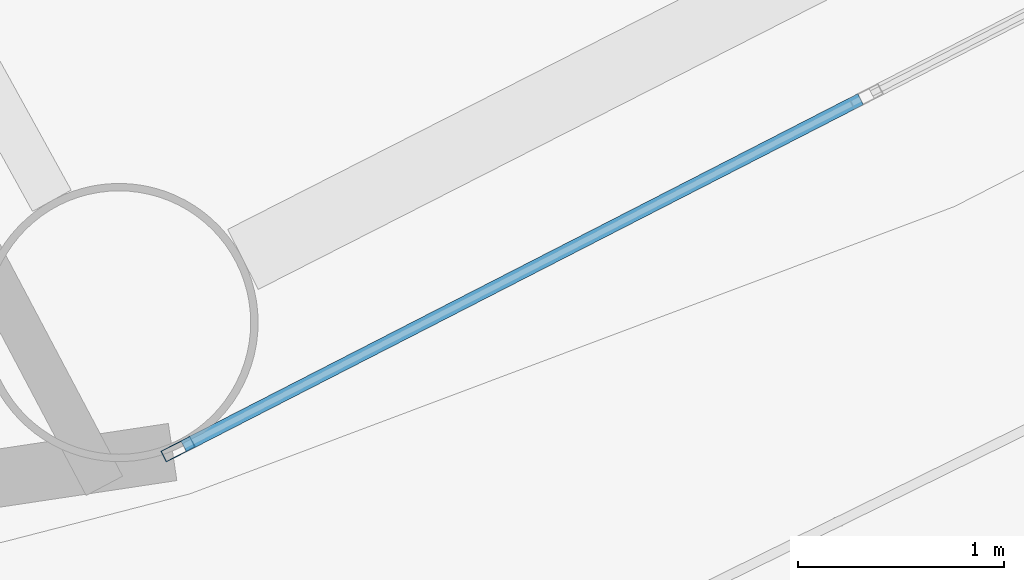
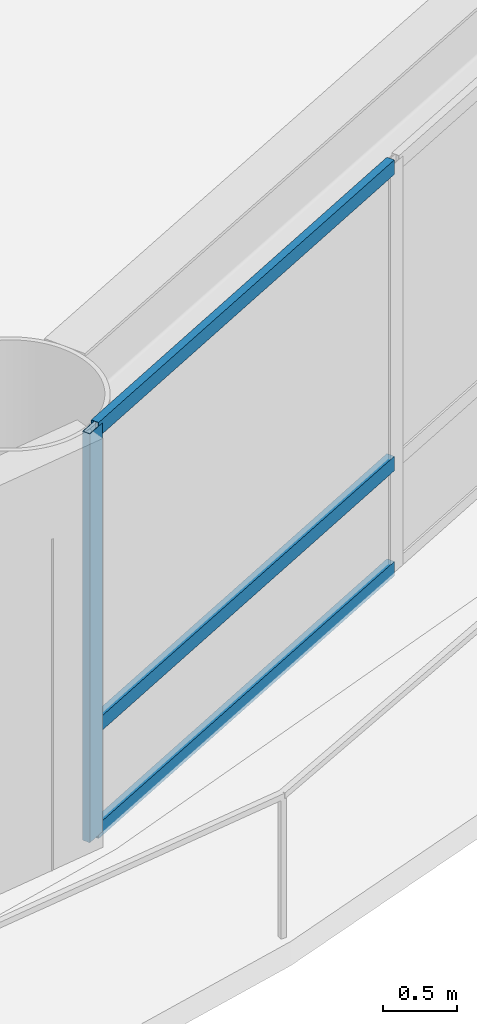
# One storey, part 6 of 26: 4 members, 1 element without a shape of its own.
"""IFC4 building model written with IfcOpenShell, lengths in metres."""

from ifc_helpers import new_model, si_unit, direction, frame, origin, origin_2d, place, context, subcontext, project, spatial, hollow_rectangle, extrude, material, layer, layer_set, material_profile, profile_set, type_object, element, aggregate, save


model = new_model("IFC4")

# Units and contexts
model_context = context("Model", 3, precision=1e-05, world=origin(), true_north=direction((0.0, 1.0)))
body_context = subcontext(model_context, "Body", "Model", "MODEL_VIEW")
ifc_project = project(units=[si_unit("LENGTHUNIT", "METRE"), si_unit("AREAUNIT", "SQUARE_METRE"), si_unit("VOLUMEUNIT", "CUBIC_METRE"), si_unit("PLANEANGLEUNIT", "RADIAN"), si_unit("MASSUNIT", "GRAM", prefix="KILO")], contexts=[model_context])

# Site, building, storey
site_placement = place(None, origin())
site = spatial("IfcSite", under=ifc_project, at=site_placement, CompositionType="ELEMENT")
building_placement = place(site_placement, origin())
building = spatial("IfcBuilding", under=site, at=building_placement, Name="Sarneth Arch Tower", CompositionType="ELEMENT")
storey_placement = place(building_placement, frame((0.0, 0.0, 46.199951171875)))
storey = spatial("IfcBuildingStorey", under=building, at=storey_placement, Name="L10", CompositionType="ELEMENT", Elevation=46.199951171875)

# Curtain wall, members
ifc_material_1 = material(Name="Anodised aluminium Type AA25 and solar-control low-e laminated IGU", Category="aluminium")
ifc_layer = layer(ifc_material_1, 0.159912109375)
ifc_layer_set = layer_set([ifc_layer], Name="Anodised aluminium Type AA25 and solar-control low-e laminated IGU")
curtain_wall_type = type_object("IfcCurtainWallType", Name="CW-HOTEL-LOW", PredefinedType="NOTDEFINED", material=ifc_layer_set)
curtain_wall_placement = place(storey_placement, origin())
curtain_wall = element("IfcCurtainWall", 1, at=curtain_wall_placement, inside=storey, type_object=curtain_wall_type, Name="L10 Unitised curtain wall facet 14", PredefinedType="NOTDEFINED")
ifc_material_2 = material(Name="Anodised Aluminium 6063-T6", Category="aluminium")
ifc_material_profile_1 = material_profile(ifc_material_2, hollow_rectangle(XDim=0.06005859375, YDim=0.159912109375, WallThickness=0.00390625, at=origin_2d()), Name="AL-MULL-160x60x4")
ifc_profile_set_1 = profile_set([ifc_material_profile_1], Name="Anodised Aluminium 6063-T6")
member_type_1 = type_object("IfcMemberType", Name="CW-MULLION", PredefinedType="MULLION", material=ifc_profile_set_1)
member_1_placement = place(storey_placement, frame((60.1044921875, 19.951416015625, 0.0), z_axis=(0.0, 0.0, 1.0), x_axis=(-0.456245197127, 0.889854100456, 0.0)))
member_1 = element("IfcMember", 2, at=member_1_placement, type_object=member_type_1, Name="CW-SYS-3 mullion 1", PredefinedType="MULLION", context=body_context, shape_type="SweptSolid", body=[
    extrude(hollow_rectangle(XDim=0.06005859375, YDim=0.159912109375, WallThickness=0.00390625, at=origin_2d()), origin(), (0.0, 0.0, 1.0), 3.380126953125),
])
ifc_material_3 = material(Name="Anodised Aluminium 6063-T6", Category="aluminium")
ifc_material_profile_2 = material_profile(ifc_material_3, hollow_rectangle(XDim=0.06005859375, YDim=0.1201171875, WallThickness=0.00390625, at=origin_2d()), Name="AL-TRAN-120x60x4")
ifc_profile_set_2 = profile_set([ifc_material_profile_2], Name="Anodised Aluminium 6063-T6")
member_type_2 = type_object("IfcMemberType", Name="CW-TRANSOM", PredefinedType="USERDEFINED", material=ifc_profile_set_2)
member_2_placement = place(storey_placement, frame((60.13134765625, 19.965087890625, 0.030029296875), z_axis=(0.889831232102, 0.456289796485, 0.0), x_axis=(-0.456289796485, 0.889831232102, 0.0)))
member_2 = element("IfcMember", 3, at=member_2_placement, type_object=member_type_2, Name="CW-SYS-3 transom 1.1", ObjectType="TRANSOM", PredefinedType="USERDEFINED", context=body_context, shape_type="SweptSolid", body=[
    extrude(hollow_rectangle(XDim=0.06005859375, YDim=0.1201171875, WallThickness=0.00390625, at=origin_2d()), origin(), (0.0, 0.0, 1.0), 3.69189453125),
])
member_3_placement = place(storey_placement, frame((60.13134765625, 19.965087890625, 0.900146484375), z_axis=(0.889831232102, 0.456289796485, 0.0), x_axis=(-0.456289796485, 0.889831232102, 0.0)))
member_3 = element("IfcMember", 4, at=member_3_placement, type_object=member_type_2, Name="CW-SYS-3 transom 1.2", ObjectType="TRANSOM", PredefinedType="USERDEFINED", context=body_context, shape_type="SweptSolid", body=[
    extrude(hollow_rectangle(XDim=0.06005859375, YDim=0.1201171875, WallThickness=0.00390625, at=origin_2d()), origin(), (0.0, 0.0, 1.0), 3.69189453125),
])
member_4_placement = place(storey_placement, frame((60.13134765625, 19.965087890625, 3.35009765625), z_axis=(0.889831232102, 0.456289796485, 0.0), x_axis=(-0.456289796485, 0.889831232102, 0.0)))
member_4 = element("IfcMember", 5, at=member_4_placement, type_object=member_type_2, Name="CW-SYS-3 transom 1.3", ObjectType="TRANSOM", PredefinedType="USERDEFINED", context=body_context, shape_type="SweptSolid", body=[
    extrude(hollow_rectangle(XDim=0.06005859375, YDim=0.1201171875, WallThickness=0.00390625, at=origin_2d()), origin(), (0.0, 0.0, 1.0), 3.69189453125),
])
aggregate(curtain_wall, [member_1, member_2, member_3, member_4])

save(model, "model.ifc")
